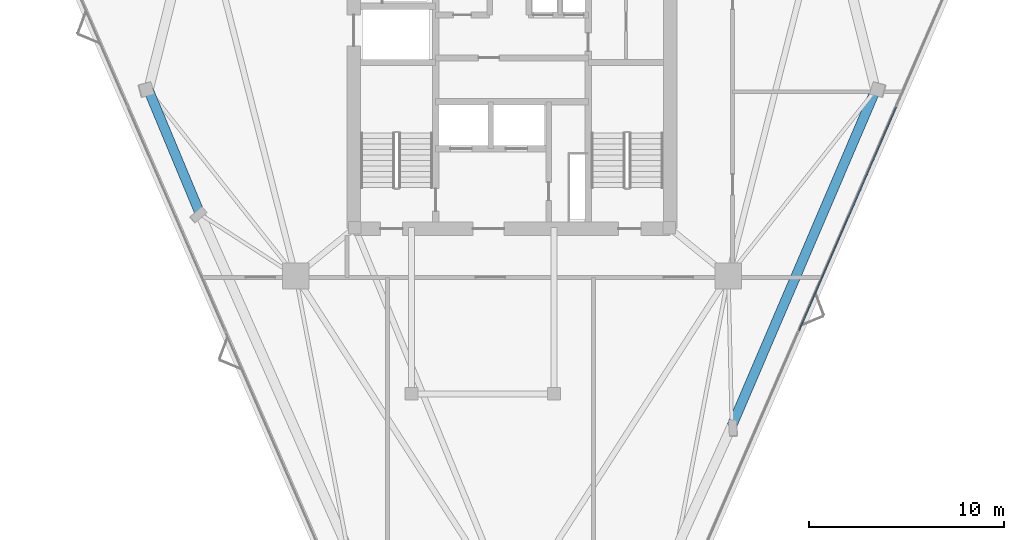
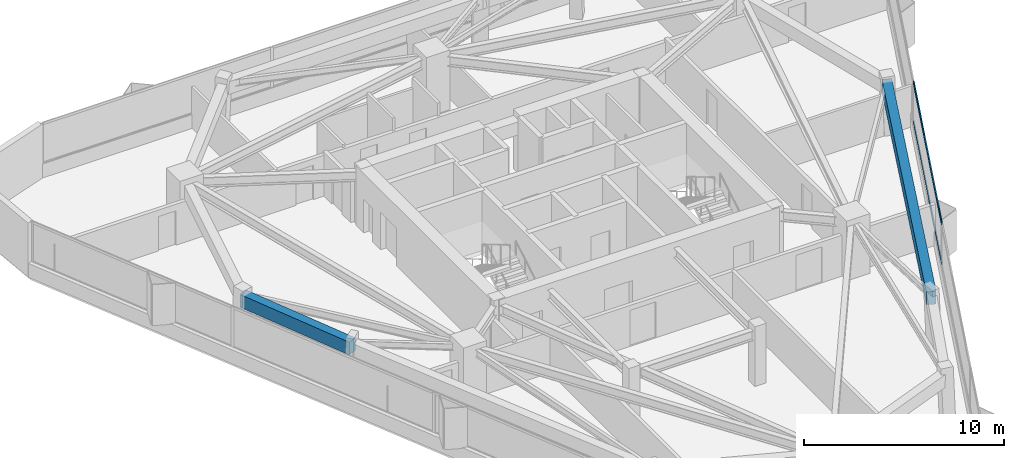
# One storey, part 5 of 12: 2 beams, 2 members, 1 element without a shape of its own.
"""IFC4 building model written with IfcOpenShell, lengths in metres."""

from ifc_helpers import new_model, si_unit, direction, frame, origin, origin_2d, place, context, subcontext, project, spatial, rectangle, extrude, material, layer, layer_set, material_profile, profile_set, type_object, element, aggregate, save


model = new_model("IFC4")

# Units and contexts
model_context = context("Model", 3, precision=1e-05, world=origin(), true_north=direction((0.0, 1.0)))
body_context = subcontext(model_context, "Body", "Model", "MODEL_VIEW")
ifc_project = project(units=[si_unit("LENGTHUNIT", "METRE"), si_unit("AREAUNIT", "SQUARE_METRE"), si_unit("VOLUMEUNIT", "CUBIC_METRE"), si_unit("PLANEANGLEUNIT", "RADIAN"), si_unit("MASSUNIT", "GRAM", prefix="KILO")], contexts=[model_context])

# Site, building, storey
site_placement = place(None, origin())
site = spatial("IfcSite", under=ifc_project, at=site_placement, CompositionType="ELEMENT")
building_placement = place(site_placement, origin())
building = spatial("IfcBuilding", under=site, at=building_placement, Name="Talyreon Biosciences Tower", CompositionType="ELEMENT")
storey_placement = place(building_placement, frame((0.0, 0.0, 219.550048828125)))
storey = spatial("IfcBuildingStorey", under=building, at=storey_placement, Name="L58", CompositionType="ELEMENT", Elevation=219.550048828125)

# Curtain wall, members
ifc_material_1 = material(Name="Thermally broken aluminium and low-E glazing", Category="aluminium")
ifc_layer = layer(ifc_material_1, 0.179931640625)
ifc_layer_set = layer_set([ifc_layer], Name="Thermally broken aluminium and low-E glazing")
curtain_wall_type = type_object("IfcCurtainWallType", Name="CurtainWall_Zone4Optical", PredefinedType="NOTDEFINED", material=ifc_layer_set)
curtain_wall_placement = place(storey_placement, origin())
curtain_wall = element("IfcCurtainWall", 1, at=curtain_wall_placement, inside=storey, type_object=curtain_wall_type, Name="L58 Unitised Curtain Wall FCW-L58-08", PredefinedType="NOTDEFINED")
ifc_material_2 = material(Name="Anodised thermally broken aluminium", Category="aluminium")
ifc_material_profile_1 = material_profile(ifc_material_2, rectangle(XDim=0.06494140625, YDim=0.139892578125, at=origin_2d()), Name="ALUM TRANSOM 65x140")
ifc_profile_set_1 = profile_set([ifc_material_profile_1], Name="Anodised thermally broken aluminium")
member_type = type_object("IfcMemberType", Name="CWTransom_65x140", PredefinedType="USERDEFINED", material=ifc_profile_set_1)
member_1_placement = place(storey_placement, frame((85.683349609375, 67.536865234375, 0.842529296875), z_axis=(-0.39837717116, -0.917221690486, 0.0), x_axis=(0.917221690486, -0.39837717116, 0.0)))
member_1 = element("IfcMember", 2, at=member_1_placement, type_object=member_type, Name="CW5 transom 2.1", ObjectType="TRANSOM", PredefinedType="USERDEFINED", context=body_context, shape_type="SweptSolid", body=[
    extrude(rectangle(XDim=0.06494140625, YDim=0.139892578125, at=origin_2d()), origin(), (0.0, 0.0, 1.0), 12.48583984375),
])
member_2_placement = place(storey_placement, frame((85.683349609375, 67.536865234375, 3.267333984375), z_axis=(-0.39837717116, -0.917221690486, 0.0), x_axis=(0.917221690486, -0.39837717116, 0.0)))
member_2 = element("IfcMember", 3, at=member_2_placement, type_object=member_type, Name="CW5 transom 2.2", ObjectType="TRANSOM", PredefinedType="USERDEFINED", context=body_context, shape_type="SweptSolid", body=[
    extrude(rectangle(XDim=0.06494140625, YDim=0.139892578125, at=origin_2d()), origin(), (0.0, 0.0, 1.0), 12.48583984375),
])
aggregate(curtain_wall, [member_1, member_2])

# Beams
ifc_material_3 = material(Name="Precast concrete C45/55", Category="concrete")
ifc_material_profile_2 = material_profile(ifc_material_3, rectangle(XDim=0.5, YDim=0.780029296875, at=origin_2d()), Name="RCB 500x780")
ifc_profile_set_2 = profile_set([ifc_material_profile_2], Name="Precast concrete C45/55")
beam_type = type_object("IfcBeamType", Name="ExpressedSpandrel_500x780", PredefinedType="SPANDREL", material=ifc_profile_set_2)
beam_1_placement = place(storey_placement, frame((77.263427734375, 51.19482421875, 2.909912109375), z_axis=(0.393305564341, 0.919407816509, 0.0), x_axis=(-0.919407816509, 0.393305564341, 0.0)))
element("IfcBeam", 4, at=beam_1_placement, inside=storey, type_object=beam_type, Name="L58 Expressed Horizontal Concrete Spandrel 03", PredefinedType="SPANDREL", context=body_context, shape_type="SweptSolid", body=[
    extrude(rectangle(XDim=0.5, YDim=0.780029296875, at=origin_2d()), origin(), (0.0, 0.0, 1.0), 18.7265625),
])
beam_2_placement = place(storey_placement, frame((47.371337890625, 68.412109375, 2.909912109375), z_axis=(0.384864100561, -0.922973252104, 0.0), x_axis=(0.922973252104, 0.384864100561, 0.0)))
element("IfcBeam", 5, at=beam_2_placement, inside=storey, type_object=beam_type, Name="L58 Expressed Horizontal Concrete Spandrel 10", PredefinedType="SPANDREL", context=body_context, shape_type="SweptSolid", body=[
    extrude(rectangle(XDim=0.5, YDim=0.780029296875, at=origin_2d()), origin(), (0.0, 0.0, 1.0), 6.89990234375),
])

save(model, "model.ifc")
